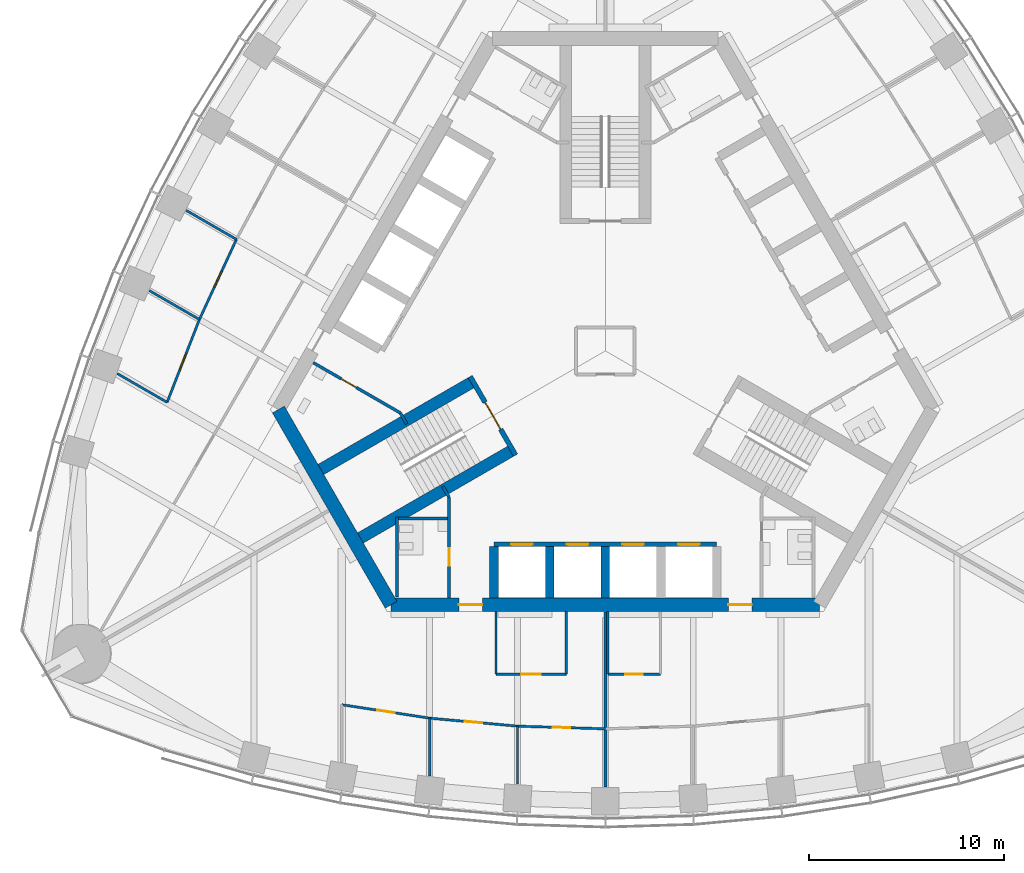
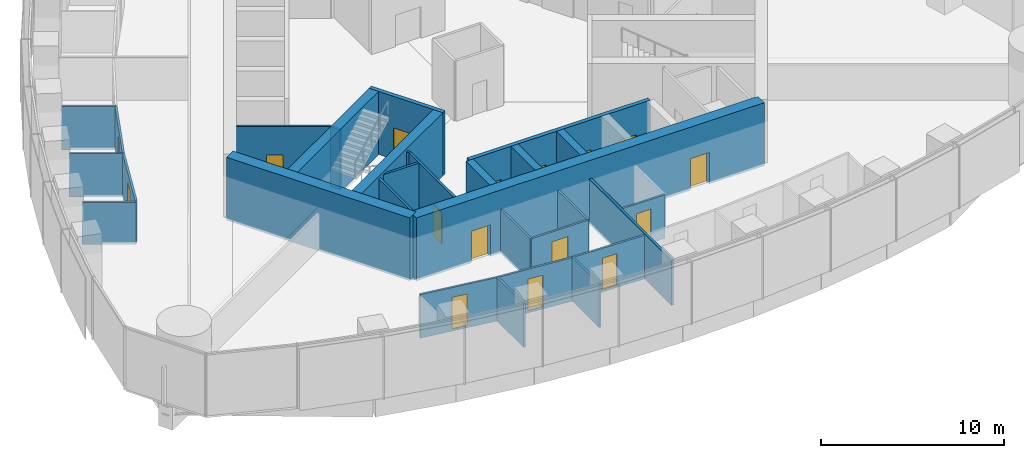
# One storey, part 8 of 16: 31 walls, 16 doors, 16 openings.
"""IFC4 building model written with IfcOpenShell, lengths in metres."""

from ifc_helpers import new_model, si_unit, direction, frame, frame_2d, origin, place, context, subcontext, project, spatial, rectangle, extrude, material, layer, layer_set, type_object, element, fill, save


model = new_model("IFC4")

# Units and contexts
model_context = context("Model", 3, precision=1e-05, world=origin(), true_north=direction((0.0, 1.0)))
body_context = subcontext(model_context, "Body", "Model", "MODEL_VIEW")
ifc_project = project(units=[si_unit("LENGTHUNIT", "METRE"), si_unit("AREAUNIT", "SQUARE_METRE"), si_unit("VOLUMEUNIT", "CUBIC_METRE"), si_unit("PLANEANGLEUNIT", "RADIAN"), si_unit("MASSUNIT", "GRAM", prefix="KILO")], contexts=[model_context])

# Site, building, storey
site_placement = place(None, origin())
site = spatial("IfcSite", under=ifc_project, at=site_placement, CompositionType="ELEMENT")
building_placement = place(site_placement, origin())
building = spatial("IfcBuilding", under=site, at=building_placement, Name="Trefoil Bronze Tower", CompositionType="ELEMENT")
storey_placement = place(building_placement, frame((0.0, 0.0, 284.699951171875)))
storey = spatial("IfcBuildingStorey", under=building, at=storey_placement, Name="L65", CompositionType="ELEMENT", Elevation=284.699951171875)

# Wall, openings, doors
ifc_material_1 = material(Name="Concrete B80", Category="concrete")
ifc_layer_1 = layer(ifc_material_1, 0.699951171875)
ifc_layer_set_1 = layer_set([ifc_layer_1], Name="Core wall 700")
wall_type_1 = type_object("IfcWallType", Name="Core wall 700", PredefinedType="SHEAR", material=ifc_layer_set_1)
wall_1_placement = place(storey_placement, frame((-10.9697265625, -13.0, 0.0), z_axis=(0.0, 0.0, 1.0), x_axis=(1.0, 0.0, 0.0)))
wall_1 = element("IfcWall", 1, at=wall_1_placement, inside=storey, type_object=wall_type_1, Name="Core long wall 1 L65", PredefinedType="SHEAR", context=body_context, shape_type="SweptSolid", body=[
    extrude(rectangle(XDim=21.939453125, YDim=0.699951171875, at=frame_2d((10.9697265625, 0.0))), origin(), (0.0, 0.0, 1.0), 4.199951171875),
])
opening_1_placement = place(wall_1_placement, frame((17.269775390625, 0.0, 0.0)))
opening_1 = element("IfcOpeningElement", 2, at=opening_1_placement, cuts=wall_1, Name="Opening D2", PredefinedType="OPENING", context=body_context, shape_type="SweptSolid", body=[
    extrude(rectangle(XDim=1.199951171875, YDim=2.10009765625, at=frame_2d((0.60009765625, 1.050048828125))), frame((0.0, 0.35986328125, 0.0), z_axis=(0.0, -1.0, 0.0), x_axis=(1.0, 0.0, 0.0)), (0.0, 0.0, 1.0), 0.719970703125),
])
opening_2_placement = place(wall_1_placement, frame((3.4697265625, 0.0, 0.0)))
opening_2 = element("IfcOpeningElement", 3, at=opening_2_placement, cuts=wall_1, Name="Opening D2", PredefinedType="OPENING", context=body_context, shape_type="SweptSolid", body=[
    extrude(rectangle(XDim=1.199951171875, YDim=2.10009765625, at=frame_2d((0.60009765625, 1.050048828125))), frame((0.0, 0.35986328125, 0.0), z_axis=(0.0, -1.0, 0.0), x_axis=(1.0, 0.0, 0.0)), (0.0, 0.0, 1.0), 0.719970703125),
])
ifc_material_2 = material(Name="Steel door", Category="steel")
door_type_1 = type_object("IfcDoorType", Name="Lobby door 1200", OperationType="SINGLE_SWING_RIGHT", PredefinedType="DOOR", material=ifc_material_2)
door_1_placement = place(opening_1_placement, origin())
door_1 = element("IfcDoor", 4, at=door_1_placement, inside=storey, type_object=door_type_1, Name="Lobby door F1+ L65", OperationType="SINGLE_SWING_RIGHT", OverallHeight=2.10009765625, OverallWidth=1.199951171875, PredefinedType="DOOR", context=body_context, shape_type="SweptSolid", body=[
    extrude(rectangle(XDim=1.199951171875, YDim=2.10009765625, at=frame_2d((0.60009765625, 1.050048828125))), frame((0.0, 0.02490234375, 0.0), z_axis=(0.0, -1.0, 0.0), x_axis=(1.0, 0.0, 0.0)), (0.0, 0.0, 1.0), 0.050048828125),
])
fill(opening_1, door_1)
door_2_placement = place(opening_2_placement, origin())
door_2 = element("IfcDoor", 5, at=door_2_placement, inside=storey, type_object=door_type_1, Name="Lobby door F1- L65", OperationType="SINGLE_SWING_LEFT", OverallHeight=2.10009765625, OverallWidth=1.199951171875, PredefinedType="DOOR", context=body_context, shape_type="SweptSolid", body=[
    extrude(rectangle(XDim=1.199951171875, YDim=2.10009765625, at=frame_2d((0.60009765625, 1.050048828125))), frame((0.0, 0.02490234375, 0.0), z_axis=(0.0, -1.0, 0.0), x_axis=(1.0, 0.0, 0.0)), (0.0, 0.0, 1.0), 0.050048828125),
])
fill(opening_2, door_2)

# Wall
wall_2_placement = place(storey_placement, frame((-16.7431640625, -3.0, 0.0), z_axis=(0.0, 0.0, 1.0), x_axis=(0.499995765644, -0.866027848477, 0.0)))
element("IfcWall", 6, at=wall_2_placement, inside=storey, type_object=wall_type_1, Name="Core short wall 3 L65", PredefinedType="SHEAR", context=body_context, shape_type="SweptSolid", body=[
    extrude(rectangle(XDim=11.546875, YDim=0.699951171875, at=frame_2d((5.7734375, 0.0))), origin(), (0.0, 0.0, 1.0), 4.199951171875),
])

# Wall, opening, door
ifc_material_3 = material(Name="Glazed partition", Category="glass")
ifc_layer_2 = layer(ifc_material_3, 0.1201171875)
ifc_layer_set_2 = layer_set([ifc_layer_2], Name="Glazed partition 120")
wall_type_2 = type_object("IfcWallType", Name="Glazed partition 120", PredefinedType="PARTITIONING", material=ifc_layer_set_2)
wall_3_placement = place(storey_placement, frame((0.125, -16.550048828125, 0.0), z_axis=(0.0, 0.0, 1.0), x_axis=(1.0, 0.0, 0.0)))
wall_3 = element("IfcWall", 7, at=wall_3_placement, inside=storey, type_object=wall_type_2, Name="Partition F1 L65", PredefinedType="PARTITIONING", context=body_context, shape_type="SweptSolid", body=[
    extrude(rectangle(XDim=2.699951171875, YDim=0.1201171875, at=frame_2d((1.35009765625, 0.0))), origin(), (0.0, 0.0, 1.0), 2.900146484375),
])
opening_3_placement = place(wall_3_placement, frame((0.89990234375, 0.0, 0.14990234375)))
opening_3 = element("IfcOpeningElement", 8, at=opening_3_placement, cuts=wall_3, Name="Opening D8", PredefinedType="OPENING", context=body_context, shape_type="SweptSolid", body=[
    extrude(rectangle(XDim=0.89990234375, YDim=2.10009765625, at=frame_2d((0.449951171875, 1.050048828125))), frame((0.0, 0.070068359375, 0.0), z_axis=(0.0, -1.0, 0.0), x_axis=(1.0, 0.0, 0.0)), (0.0, 0.0, 1.0), 0.14013671875),
])
ifc_material_4 = material(Name="Timber door", Category="wood")
door_type_2 = type_object("IfcDoorType", Name="Office door 900", OperationType="SINGLE_SWING_LEFT", PredefinedType="DOOR", material=ifc_material_4)
door_3_placement = place(opening_3_placement, origin())
door_3 = element("IfcDoor", 9, at=door_3_placement, inside=storey, type_object=door_type_2, Name="Pantry door F1 L65", OperationType="SINGLE_SWING_LEFT", OverallHeight=2.10009765625, OverallWidth=0.89990234375, PredefinedType="DOOR", context=body_context, shape_type="SweptSolid", body=[
    extrude(rectangle(XDim=0.89990234375, YDim=2.10009765625, at=frame_2d((0.449951171875, 1.050048828125))), frame((0.0, 0.02490234375, 0.0), z_axis=(0.0, -1.0, 0.0), x_axis=(1.0, 0.0, 0.0)), (0.0, 0.0, 1.0), 0.050048828125),
])
fill(opening_3, door_3)

wall_4_placement = place(storey_placement, frame((-5.60009765625, -16.550048828125, 0.0), z_axis=(0.0, 0.0, 1.0), x_axis=(1.0, 0.0, 0.0)))
wall_4 = element("IfcWall", 10, at=wall_4_placement, inside=storey, type_object=wall_type_2, Name="Partition F1 L65", PredefinedType="PARTITIONING", context=body_context, shape_type="SweptSolid", body=[
    extrude(rectangle(XDim=3.60009765625, YDim=0.1201171875, at=frame_2d((1.800048828125, 0.0))), origin(), (0.0, 0.0, 1.0), 2.900146484375),
])
opening_4_placement = place(wall_4_placement, frame((1.300048828125, 0.0, 0.14990234375)))
opening_4 = element("IfcOpeningElement", 11, at=opening_4_placement, cuts=wall_4, Name="Opening D9", PredefinedType="OPENING", context=body_context, shape_type="SweptSolid", body=[
    extrude(rectangle(XDim=1.0, YDim=2.10009765625, at=frame_2d((0.5, 1.050048828125))), frame((0.0, 0.070068359375, 0.0), z_axis=(0.0, -1.0, 0.0), x_axis=(1.0, 0.0, 0.0)), (0.0, 0.0, 1.0), 0.14013671875),
])
ifc_material_5 = material(Name="Glazed timber door", Category="wood")
door_type_3 = type_object("IfcDoorType", Name="Meeting room door 1000", OperationType="SINGLE_SWING_LEFT", PredefinedType="DOOR", material=ifc_material_5)
door_4_placement = place(opening_4_placement, origin())
door_4 = element("IfcDoor", 12, at=door_4_placement, inside=storey, type_object=door_type_3, Name="Meeting room door F1 L65", OperationType="SINGLE_SWING_RIGHT", OverallHeight=2.10009765625, OverallWidth=1.0, PredefinedType="DOOR", context=body_context, shape_type="SweptSolid", body=[
    extrude(rectangle(XDim=1.0, YDim=2.10009765625, at=frame_2d((0.5, 1.050048828125))), frame((0.0, 0.02490234375, 0.0), z_axis=(0.0, -1.0, 0.0), x_axis=(1.0, 0.0, 0.0)), (0.0, 0.0, 1.0), 0.050048828125),
])
fill(opening_4, door_4)

# Walls
for number, where, z_axis, x_axis, name in (
    (13, (0.125, -13.35009765625, 0.0), (0.0, 0.0, 1.0), (0.0, -1.0, 0.0), "Partition F1 L65"),
    (14, (-2.0, -13.35009765625, 0.0), (0.0, 0.0, 1.0), (0.0, -1.0, 0.0), "Partition F1 L65"),
    (15, (-5.60009765625, -13.35009765625, 0.0), (0.0, 0.0, 1.0), (0.0, -1.0, 0.0), "Partition F1 L65"),
):
    element("IfcWall", number, at=place(storey_placement, frame(where, z_axis=z_axis, x_axis=x_axis)), inside=storey, type_object=wall_type_2, Name=name, PredefinedType="PARTITIONING", context=body_context, shape_type="SweptSolid", body=[
        extrude(rectangle(XDim=3.199951171875, YDim=0.1201171875, at=frame_2d((1.60009765625, 0.0))), origin(), (0.0, 0.0, 1.0), 2.900146484375),
    ])

# Wall, opening, door
wall_5_placement = place(storey_placement, frame((-13.5, -18.1162109375, 0.0), z_axis=(0.0, 0.0, 1.0), x_axis=(0.988481794406, -0.151339823341, 0.0)))
wall_5 = element("IfcWall", 16, at=wall_5_placement, inside=storey, type_object=wall_type_2, Name="Partition F1 L65", PredefinedType="PARTITIONING", context=body_context, shape_type="SweptSolid", body=[
    extrude(rectangle(XDim=4.552490234375, YDim=0.1201171875, at=frame_2d((2.2763671875, 0.0))), origin(), (0.0, 0.0, 1.0), 2.900146484375),
])
opening_5_placement = place(wall_5_placement, frame((1.85009765625, 0.0, 0.14990234375)))
opening_5 = element("IfcOpeningElement", 17, at=opening_5_placement, cuts=wall_5, Name="Opening D8", PredefinedType="OPENING", context=body_context, shape_type="SweptSolid", body=[
    extrude(rectangle(XDim=0.89990234375, YDim=2.10009765625, at=frame_2d((0.449951171875, 1.050048828125))), frame((0.0, 0.070068359375, 0.0), z_axis=(0.0, -1.0, 0.0), x_axis=(1.0, 0.0, 0.0)), (0.0, 0.0, 1.0), 0.14013671875),
])
door_5_placement = place(opening_5_placement, frame((0.89990234375, 0.0, 0.0), z_axis=(0.0, 0.0, 1.0), x_axis=(-1.0, 0.0, 0.0)))
door_5 = element("IfcDoor", 18, at=door_5_placement, inside=storey, type_object=door_type_2, Name="Office door F1 L65", OperationType="SINGLE_SWING_LEFT", OverallHeight=2.10009765625, OverallWidth=0.89990234375, PredefinedType="DOOR", context=body_context, shape_type="SweptSolid", body=[
    extrude(rectangle(XDim=0.89990234375, YDim=2.10009765625, at=frame_2d((0.449951171875, 1.050048828125))), frame((0.0, 0.02490234375, 0.0), z_axis=(0.0, -1.0, 0.0), x_axis=(1.0, 0.0, 0.0)), (0.0, 0.0, 1.0), 0.050048828125),
])
fill(opening_5, door_5)

wall_6_placement = place(storey_placement, frame((-4.5, -19.21533203125, 0.0), z_axis=(0.0, 0.0, 1.0), x_axis=(0.999542074227, -0.030259574513, 0.0)))
wall_6 = element("IfcWall", 19, at=wall_6_placement, inside=storey, type_object=wall_type_2, Name="Partition F1 L65", PredefinedType="PARTITIONING", context=body_context, shape_type="SweptSolid", body=[
    extrude(rectangle(XDim=4.501953125, YDim=0.1201171875, at=frame_2d((2.2509765625, 0.0))), origin(), (0.0, 0.0, 1.0), 2.900146484375),
])
opening_6_placement = place(wall_6_placement, frame((1.800048828125, 0.0, 0.14990234375)))
opening_6 = element("IfcOpeningElement", 20, at=opening_6_placement, cuts=wall_6, Name="Opening D8", PredefinedType="OPENING", context=body_context, shape_type="SweptSolid", body=[
    extrude(rectangle(XDim=0.89990234375, YDim=2.10009765625, at=frame_2d((0.449951171875, 1.050048828125))), frame((0.0, 0.070068359375, 0.0), z_axis=(0.0, -1.0, 0.0), x_axis=(1.0, 0.0, 0.0)), (0.0, 0.0, 1.0), 0.14013671875),
])
door_6_placement = place(opening_6_placement, frame((0.89990234375, 0.0, 0.0), z_axis=(0.0, 0.0, 1.0), x_axis=(-1.0, 0.0, 0.0)))
door_6 = element("IfcDoor", 21, at=door_6_placement, inside=storey, type_object=door_type_2, Name="Office door F1 L65", OperationType="SINGLE_SWING_RIGHT", OverallHeight=2.10009765625, OverallWidth=0.89990234375, PredefinedType="DOOR", context=body_context, shape_type="SweptSolid", body=[
    extrude(rectangle(XDim=0.89990234375, YDim=2.10009765625, at=frame_2d((0.449951171875, 1.050048828125))), frame((0.0, 0.02490234375, 0.0), z_axis=(0.0, -1.0, 0.0), x_axis=(1.0, 0.0, 0.0)), (0.0, 0.0, 1.0), 0.050048828125),
])
fill(opening_6, door_6)

wall_7_placement = place(storey_placement, frame((-9.0, -18.80517578125, 0.0), z_axis=(0.0, 0.0, 1.0), x_axis=(0.995871921504, -0.090769576179, 0.0)))
wall_7 = element("IfcWall", 22, at=wall_7_placement, inside=storey, type_object=wall_type_2, Name="Partition F1 L65", PredefinedType="PARTITIONING", context=body_context, shape_type="SweptSolid", body=[
    extrude(rectangle(XDim=4.5185546875, YDim=0.1201171875, at=frame_2d((2.25927734375, 0.0))), origin(), (0.0, 0.0, 1.0), 2.900146484375),
])
opening_7_placement = place(wall_7_placement, frame((1.800048828125, 0.0, 0.14990234375)))
opening_7 = element("IfcOpeningElement", 23, at=opening_7_placement, cuts=wall_7, Name="Opening D8", PredefinedType="OPENING", context=body_context, shape_type="SweptSolid", body=[
    extrude(rectangle(XDim=0.89990234375, YDim=2.10009765625, at=frame_2d((0.449951171875, 1.050048828125))), frame((0.0, 0.070068359375, 0.0), z_axis=(0.0, -1.0, 0.0), x_axis=(1.0, 0.0, 0.0)), (0.0, 0.0, 1.0), 0.14013671875),
])
door_7_placement = place(opening_7_placement, frame((0.89990234375, 0.0, 0.0), z_axis=(0.0, 0.0, 1.0), x_axis=(-1.0, 0.0, 0.0)))
door_7 = element("IfcDoor", 24, at=door_7_placement, inside=storey, type_object=door_type_2, Name="Office door F1 L65", OperationType="SINGLE_SWING_RIGHT", OverallHeight=2.10009765625, OverallWidth=0.89990234375, PredefinedType="DOOR", context=body_context, shape_type="SweptSolid", body=[
    extrude(rectangle(XDim=0.89990234375, YDim=2.10009765625, at=frame_2d((0.449951171875, 1.050048828125))), frame((0.0, 0.02490234375, 0.0), z_axis=(0.0, -1.0, 0.0), x_axis=(1.0, 0.0, 0.0)), (0.0, 0.0, 1.0), 0.050048828125),
])
fill(opening_7, door_7)

# Walls
wall_8_placement = place(storey_placement, frame((-4.5, -19.21533203125, 0.0), z_axis=(0.0, 0.0, 1.0), x_axis=(0.0, -1.0, 0.0)))
element("IfcWall", 25, at=wall_8_placement, inside=storey, type_object=wall_type_2, Name="Partition F1 L65", PredefinedType="PARTITIONING", context=body_context, shape_type="SweptSolid", body=[
    extrude(rectangle(XDim=2.96728515625, YDim=0.1201171875, at=frame_2d((1.483642578125, 0.0))), origin(), (0.0, 0.0, 1.0), 2.900146484375),
])
wall_9_placement = place(storey_placement, frame((-9.0, -18.80517578125, 0.0), z_axis=(0.0, 0.0, 1.0), x_axis=(0.0, -1.0, 0.0)))
element("IfcWall", 26, at=wall_9_placement, inside=storey, type_object=wall_type_2, Name="Partition F1 L65", PredefinedType="PARTITIONING", context=body_context, shape_type="SweptSolid", body=[
    extrude(rectangle(XDim=2.958740234375, YDim=0.1201171875, at=frame_2d((1.4794921875, 0.0))), origin(), (0.0, 0.0, 1.0), 2.900146484375),
])

# Wall, opening, door
wall_10_placement = place(storey_placement, frame((-18.890869140625, 5.71044921875, 0.0), z_axis=(0.0, 0.0, 1.0), x_axis=(-0.419335693458, -0.907831248742, 0.0)))
wall_10 = element("IfcWall", 27, at=wall_10_placement, inside=storey, type_object=wall_type_2, Name="Partition F3 L65", PredefinedType="PARTITIONING", context=body_context, shape_type="SweptSolid", body=[
    extrude(rectangle(XDim=4.5185546875, YDim=0.1201171875, at=frame_2d((2.25927734375, 0.0))), origin(), (0.0, 0.0, 1.0), 2.900146484375),
])
opening_8_placement = place(wall_10_placement, frame((1.800048828125, 0.0, 0.14990234375)))
opening_8 = element("IfcOpeningElement", 28, at=opening_8_placement, cuts=wall_10, Name="Opening D8", PredefinedType="OPENING", context=body_context, shape_type="SweptSolid", body=[
    extrude(rectangle(XDim=0.89990234375, YDim=2.10009765625, at=frame_2d((0.449951171875, 1.050048828125))), frame((0.0, 0.070068359375, 0.0), z_axis=(0.0, -1.0, 0.0), x_axis=(1.0, 0.0, 0.0)), (0.0, 0.0, 1.0), 0.14013671875),
])
door_8_placement = place(opening_8_placement, frame((0.89990234375, 0.0, 0.0), z_axis=(0.0, 0.0, 1.0), x_axis=(-1.0, 0.0, 0.0)))
door_8 = element("IfcDoor", 29, at=door_8_placement, inside=storey, type_object=door_type_2, Name="Office door F3 L65", OperationType="SINGLE_SWING_RIGHT", OverallHeight=2.10009765625, OverallWidth=0.89990234375, PredefinedType="DOOR", context=body_context, shape_type="SweptSolid", body=[
    extrude(rectangle(XDim=0.89990234375, YDim=2.10009765625, at=frame_2d((0.449951171875, 1.050048828125))), frame((0.0, 0.02490234375, 0.0), z_axis=(0.0, -1.0, 0.0), x_axis=(1.0, 0.0, 0.0)), (0.0, 0.0, 1.0), 0.050048828125),
])
fill(opening_8, door_8)

wall_11_placement = place(storey_placement, frame((-20.78564453125, 1.6083984375, 0.0), z_axis=(0.0, 0.0, 1.0), x_axis=(-0.363212149153, -0.931706463811, 0.0)))
wall_11 = element("IfcWall", 30, at=wall_11_placement, inside=storey, type_object=wall_type_2, Name="Partition F3 L65", PredefinedType="PARTITIONING", context=body_context, shape_type="SweptSolid", body=[
    extrude(rectangle(XDim=4.552734375, YDim=0.1201171875, at=frame_2d((2.2763671875, 0.0))), origin(), (0.0, 0.0, 1.0), 2.900146484375),
])
opening_9_placement = place(wall_11_placement, frame((1.85009765625, 0.0, 0.14990234375)))
opening_9 = element("IfcOpeningElement", 31, at=opening_9_placement, cuts=wall_11, Name="Opening D8", PredefinedType="OPENING", context=body_context, shape_type="SweptSolid", body=[
    extrude(rectangle(XDim=0.89990234375, YDim=2.10009765625, at=frame_2d((0.449951171875, 1.050048828125))), frame((0.0, 0.070068359375, 0.0), z_axis=(0.0, -1.0, 0.0), x_axis=(1.0, 0.0, 0.0)), (0.0, 0.0, 1.0), 0.14013671875),
])
door_9_placement = place(opening_9_placement, frame((0.89990234375, 0.0, 0.0), z_axis=(0.0, 0.0, 1.0), x_axis=(-1.0, 0.0, 0.0)))
door_9 = element("IfcDoor", 32, at=door_9_placement, inside=storey, type_object=door_type_2, Name="Office door F3 L65", OperationType="SINGLE_SWING_LEFT", OverallHeight=2.10009765625, OverallWidth=0.89990234375, PredefinedType="DOOR", context=body_context, shape_type="SweptSolid", body=[
    extrude(rectangle(XDim=0.89990234375, YDim=2.10009765625, at=frame_2d((0.449951171875, 1.050048828125))), frame((0.0, 0.02490234375, 0.0), z_axis=(0.0, -1.0, 0.0), x_axis=(1.0, 0.0, 0.0)), (0.0, 0.0, 1.0), 0.050048828125),
])
fill(opening_9, door_9)

# Walls
wall_12_placement = place(storey_placement, frame((-22.439208984375, -2.63330078125, 0.0), z_axis=(0.0, 0.0, 1.0), x_axis=(-0.866019881867, 0.500009564119, 0.0)))
element("IfcWall", 33, at=wall_12_placement, inside=storey, type_object=wall_type_2, Name="Partition F3 L65", PredefinedType="PARTITIONING", context=body_context, shape_type="SweptSolid", body=[
    extrude(rectangle(XDim=2.9443359375, YDim=0.1201171875, at=frame_2d((1.47216796875, 0.0))), origin(), (0.0, 0.0, 1.0), 2.800048828125),
])
wall_13_placement = place(storey_placement, frame((-18.890869140625, 5.71044921875, 0.0), z_axis=(0.0, 0.0, 1.0), x_axis=(-0.866032134716, 0.499988341504, 0.0)))
element("IfcWall", 34, at=wall_13_placement, inside=storey, type_object=wall_type_2, Name="Partition F3 L65", PredefinedType="PARTITIONING", context=body_context, shape_type="SweptSolid", body=[
    extrude(rectangle(XDim=2.96728515625, YDim=0.1201171875, at=frame_2d((1.483642578125, 0.0))), origin(), (0.0, 0.0, 1.0), 2.900146484375),
])
wall_14_placement = place(storey_placement, frame((-20.78564453125, 1.6083984375, 0.0), z_axis=(0.0, 0.0, 1.0), x_axis=(-0.866056430242, 0.499946256749, 0.0)))
element("IfcWall", 35, at=wall_14_placement, inside=storey, type_object=wall_type_2, Name="Partition F3 L65", PredefinedType="PARTITIONING", context=body_context, shape_type="SweptSolid", body=[
    extrude(rectangle(XDim=2.958740234375, YDim=0.1201171875, at=frame_2d((1.4794921875, 0.0))), origin(), (0.0, 0.0, 1.0), 2.900146484375),
])
ifc_material_6 = material(Name="Concrete B80", Category="concrete")
ifc_layer_3 = layer(ifc_material_6, 0.449951171875)
ifc_layer_set_3 = layer_set([ifc_layer_3], Name="Outrigger shaft wall 450")
wall_type_3 = type_object("IfcWallType", Name="Outrigger shaft wall 450", PredefinedType="SHEAR", material=ifc_layer_set_3)
for number, where, z_axis, x_axis, name in (
    (36, (-5.699951171875, -10.02490234375, 0.0), (0.0, 0.0, 1.0), (0.0, -1.0, 0.0), "Lift shaft side wall A0 L65"),
    (37, (-2.85009765625, -10.02490234375, 0.0), (0.0, 0.0, 1.0), (0.0, -1.0, 0.0), "Lift shaft side wall A1 L65"),
    (38, (0.0, -10.02490234375, 0.0), (0.0, 0.0, 1.0), (0.0, -1.0, 0.0), "Lift shaft side wall A2 L65"),
):
    element("IfcWall", number, at=place(storey_placement, frame(where, z_axis=z_axis, x_axis=x_axis)), inside=storey, type_object=wall_type_3, Name=name, PredefinedType="SHEAR", context=body_context, shape_type="SweptSolid", body=[
        extrude(rectangle(XDim=2.625, YDim=0.449951171875, at=frame_2d((1.3125, 0.0))), origin(), (0.0, 0.0, 1.0), 4.199951171875),
    ])

# Wall, opening, door
ifc_material_7 = material(Name="Gypsum board on steel studs", Category="steel")
ifc_layer_4 = layer(ifc_material_7, 0.14990234375)
ifc_layer_set_4 = layer_set([ifc_layer_4], Name="Partition 150")
wall_type_4 = type_object("IfcWallType", Name="Partition 150", PredefinedType="PARTITIONING", material=ifc_layer_set_4)
wall_15_placement = place(storey_placement, frame((-8.0, -7.5, 0.0), z_axis=(0.0, 0.0, 1.0), x_axis=(0.0, -1.0, 0.0)))
wall_15 = element("IfcWall", 39, at=wall_15_placement, inside=storey, type_object=wall_type_4, Name="Passage wall F1- L65", PredefinedType="PARTITIONING", context=body_context, shape_type="SweptSolid", body=[
    extrude(rectangle(XDim=5.14990234375, YDim=0.14990234375, at=frame_2d((2.574951171875, 0.0))), origin(), (0.0, 0.0, 1.0), 4.0),
])
opening_10_placement = place(wall_15_placement, frame((2.60009765625, 0.0, 0.0)))
opening_10 = element("IfcOpeningElement", 40, at=opening_10_placement, cuts=wall_15, Name="Opening D3", PredefinedType="OPENING", context=body_context, shape_type="SweptSolid", body=[
    extrude(rectangle(XDim=0.89990234375, YDim=2.10009765625, at=frame_2d((0.449951171875, 1.050048828125))), frame((0.0, 0.0849609375, 0.0), z_axis=(0.0, -1.0, 0.0), x_axis=(1.0, 0.0, 0.0)), (0.0, 0.0, 1.0), 0.169921875),
])
ifc_material_8 = material(Name="Timber door", Category="wood")
door_type_4 = type_object("IfcDoorType", Name="WC door 900", OperationType="SINGLE_SWING_LEFT", PredefinedType="DOOR", material=ifc_material_8)
door_10_placement = place(opening_10_placement, frame((0.89990234375, 0.0, 0.0), z_axis=(0.0, 0.0, 1.0), x_axis=(-1.0, 0.0, 0.0)))
door_10 = element("IfcDoor", 41, at=door_10_placement, inside=storey, type_object=door_type_4, Name="WC (women) door L65", OperationType="SINGLE_SWING_RIGHT", OverallHeight=2.10009765625, OverallWidth=0.89990234375, PredefinedType="DOOR", context=body_context, shape_type="SweptSolid", body=[
    extrude(rectangle(XDim=0.89990234375, YDim=2.10009765625, at=frame_2d((0.449951171875, 1.050048828125))), frame((0.0, 0.02490234375, 0.0), z_axis=(0.0, -1.0, 0.0), x_axis=(1.0, 0.0, 0.0)), (0.0, 0.0, 1.0), 0.050048828125),
])
fill(opening_10, door_10)

wall_16_placement = place(storey_placement, frame((-10.4951171875, -3.17822265625, 0.0), z_axis=(0.0, 0.0, 1.0), x_axis=(-0.866037967349, 0.499978238636, 0.0)))
wall_16 = element("IfcWall", 42, at=wall_16_placement, inside=storey, type_object=wall_type_4, Name="Passage wall F3+ L65", PredefinedType="PARTITIONING", context=body_context, shape_type="SweptSolid", body=[
    extrude(rectangle(XDim=5.150146484375, YDim=0.14990234375, at=frame_2d((2.5751953125, 0.0))), origin(), (0.0, 0.0, 1.0), 4.0),
])
opening_11_placement = place(wall_16_placement, frame((2.60009765625, 0.0, 0.0)))
opening_11 = element("IfcOpeningElement", 43, at=opening_11_placement, cuts=wall_16, Name="Opening D3", PredefinedType="OPENING", context=body_context, shape_type="SweptSolid", body=[
    extrude(rectangle(XDim=0.89990234375, YDim=2.10009765625, at=frame_2d((0.449951171875, 1.050048828125))), frame((0.0, 0.0849609375, 0.0), z_axis=(0.0, -1.0, 0.0), x_axis=(1.0, 0.0, 0.0)), (0.0, 0.0, 1.0), 0.169921875),
])
door_11_placement = place(opening_11_placement, origin())
door_11 = element("IfcDoor", 44, at=door_11_placement, inside=storey, type_object=door_type_4, Name="Accessible WC door L65", OperationType="SINGLE_SWING_RIGHT", OverallHeight=2.10009765625, OverallWidth=0.89990234375, PredefinedType="DOOR", context=body_context, shape_type="SweptSolid", body=[
    extrude(rectangle(XDim=0.89990234375, YDim=2.10009765625, at=frame_2d((0.449951171875, 1.050048828125))), frame((0.0, 0.02490234375, 0.0), z_axis=(0.0, -1.0, 0.0), x_axis=(1.0, 0.0, 0.0)), (0.0, 0.0, 1.0), 0.050048828125),
])
fill(opening_11, door_11)

# Walls
for number, where, z_axis, x_axis, name in (
    (45, (-10.4951171875, -3.17822265625, 0.0), (0.0, 0.0, 1.0), (0.499842556608, -0.866116284689, 0.0), "WC wall ST3-1 L65"),
    (46, (-8.0, -7.5, 0.0), (0.0, 0.0, 1.0), (-0.499842556608, 0.866116284689, 0.0), "WC wall ST3+1 L65"),
):
    element("IfcWall", number, at=place(storey_placement, frame(where, z_axis=z_axis, x_axis=x_axis)), inside=storey, type_object=wall_type_4, Name=name, PredefinedType="PARTITIONING", context=body_context, shape_type="SweptSolid", body=[
        extrude(rectangle(XDim=0.645263671875, YDim=0.14990234375, at=frame_2d((0.32275390625, 0.0))), origin(), (0.0, 0.0, 1.0), 4.0),
    ])
wall_17_placement = place(storey_placement, frame((-10.659912109375, -8.5, 0.0), z_axis=(0.0, 0.0, 1.0), x_axis=(0.0, -1.0, 0.0)))
element("IfcWall", 47, at=wall_17_placement, inside=storey, type_object=wall_type_4, Name="WC partition WC (women) L65", PredefinedType="PARTITIONING", context=body_context, shape_type="SweptSolid", body=[
    extrude(rectangle(XDim=4.10009765625, YDim=0.14990234375, at=frame_2d((2.050048828125, 0.0))), origin(), (0.0, 0.0, 1.0), 4.0),
])
wall_18_placement = place(storey_placement, frame((-8.074951171875, -8.574951171875, 0.0), z_axis=(0.0, 0.0, 1.0), x_axis=(-1.0, 0.0, 0.0)))
element("IfcWall", 48, at=wall_18_placement, inside=storey, type_object=wall_type_4, Name="WC partition WC (women) L65", PredefinedType="PARTITIONING", context=body_context, shape_type="SweptSolid", body=[
    extrude(rectangle(XDim=2.510009765625, YDim=0.14990234375, at=frame_2d((1.2548828125, 0.0))), origin(), (0.0, 0.0, 1.0), 4.0),
])
ifc_material_9 = material(Name="Gypsum board on steel studs", Category="steel")
ifc_layer_5 = layer(ifc_material_9, 0.14990234375)
ifc_layer_set_5 = layer_set([ifc_layer_5], Name="Party wall 150")
wall_type_5 = type_object("IfcWallType", Name="Party wall 150", PredefinedType="PARTITIONING", material=ifc_layer_set_5)
wall_19_placement = place(storey_placement, frame((0.0, -13.360107421875, 0.0), z_axis=(0.0, 0.0, 1.0), x_axis=(0.0, -1.0, 0.0)))
element("IfcWall", 49, at=wall_19_placement, inside=storey, type_object=wall_type_5, Name="Demising wall F1 L65", PredefinedType="PARTITIONING", context=body_context, shape_type="SweptSolid", body=[
    extrude(rectangle(XDim=8.96142578125, YDim=0.14990234375, at=frame_2d((4.480712890625, 0.0))), origin(), (0.0, 0.0, 1.0), 3.0),
])

# Wall, openings, doors
ifc_material_10 = material(Name="Concrete B80", Category="concrete")
ifc_layer_6 = layer(ifc_material_10, 0.25)
ifc_layer_set_6 = layer_set([ifc_layer_6], Name="Shaft wall 250")
wall_type_6 = type_object("IfcWallType", Name="Shaft wall 250", PredefinedType="SHEAR", material=ifc_layer_set_6)
wall_20_placement = place(storey_placement, frame((-5.699951171875, -9.89990234375, 0.0), z_axis=(0.0, 0.0, 1.0), x_axis=(1.0, 0.0, 0.0)))
wall_20 = element("IfcWall", 50, at=wall_20_placement, inside=storey, type_object=wall_type_6, Name="Lift shaft front wall A L65", PredefinedType="SHEAR", context=body_context, shape_type="SweptSolid", body=[
    extrude(rectangle(XDim=11.39990234375, YDim=0.25, at=frame_2d((5.699951171875, 0.0))), origin(), (0.0, 0.0, 1.0), 4.199951171875),
])
opening_12_placement = place(wall_20_placement, frame((0.875, 0.0, 0.0)))
opening_12 = element("IfcOpeningElement", 51, at=opening_12_placement, cuts=wall_20, Name="Opening LD-P41", PredefinedType="OPENING", context=body_context, shape_type="SweptSolid", body=[
    extrude(rectangle(XDim=1.10009765625, YDim=2.199951171875, at=frame_2d((0.550048828125, 1.10009765625))), frame((0.0, 0.135009765625, 0.0), z_axis=(0.0, -1.0, 0.0), x_axis=(1.0, 0.0, 0.0)), (0.0, 0.0, 1.0), 0.27001953125),
])
opening_13_placement = place(wall_20_placement, frame((3.72509765625, 0.0, 0.0)))
opening_13 = element("IfcOpeningElement", 52, at=opening_13_placement, cuts=wall_20, Name="Opening LD-P42", PredefinedType="OPENING", context=body_context, shape_type="SweptSolid", body=[
    extrude(rectangle(XDim=1.10009765625, YDim=2.199951171875, at=frame_2d((0.550048828125, 1.10009765625))), frame((0.0, 0.135009765625, 0.0), z_axis=(0.0, -1.0, 0.0), x_axis=(1.0, 0.0, 0.0)), (0.0, 0.0, 1.0), 0.27001953125),
])
opening_14_placement = place(wall_20_placement, frame((6.574951171875, 0.0, 0.0)))
opening_14 = element("IfcOpeningElement", 53, at=opening_14_placement, cuts=wall_20, Name="Opening LD-P43", PredefinedType="OPENING", context=body_context, shape_type="SweptSolid", body=[
    extrude(rectangle(XDim=1.10009765625, YDim=2.199951171875, at=frame_2d((0.550048828125, 1.10009765625))), frame((0.0, 0.135009765625, 0.0), z_axis=(0.0, -1.0, 0.0), x_axis=(1.0, 0.0, 0.0)), (0.0, 0.0, 1.0), 0.27001953125),
])
opening_15_placement = place(wall_20_placement, frame((9.425048828125, 0.0, 0.0)))
opening_15 = element("IfcOpeningElement", 54, at=opening_15_placement, cuts=wall_20, Name="Opening LD-P44", PredefinedType="OPENING", context=body_context, shape_type="SweptSolid", body=[
    extrude(rectangle(XDim=1.10009765625, YDim=2.199951171875, at=frame_2d((0.550048828125, 1.10009765625))), frame((0.0, 0.135009765625, 0.0), z_axis=(0.0, -1.0, 0.0), x_axis=(1.0, 0.0, 0.0)), (0.0, 0.0, 1.0), 0.27001953125),
])
ifc_material_11 = material(Name="Steel door", Category="steel")
door_type_5 = type_object("IfcDoorType", Name="Lift landing door 1100", OperationType="DOUBLE_DOOR_SLIDING", PredefinedType="DOOR", material=ifc_material_11)
door_12_placement = place(opening_12_placement, origin())
door_12 = element("IfcDoor", 55, at=door_12_placement, inside=storey, type_object=door_type_5, Name="Lift P41 landing door L65", OperationType="DOUBLE_DOOR_SLIDING", OverallHeight=2.199951171875, OverallWidth=1.10009765625, PredefinedType="DOOR", context=body_context, shape_type="SweptSolid", body=[
    extrude(rectangle(XDim=1.10009765625, YDim=2.199951171875, at=frame_2d((0.550048828125, 1.10009765625))), frame((0.0, 0.02490234375, 0.0), z_axis=(0.0, -1.0, 0.0), x_axis=(1.0, 0.0, 0.0)), (0.0, 0.0, 1.0), 0.050048828125),
])
fill(opening_12, door_12)
door_13_placement = place(opening_13_placement, origin())
door_13 = element("IfcDoor", 56, at=door_13_placement, inside=storey, type_object=door_type_5, Name="Lift P42 landing door L65", OperationType="DOUBLE_DOOR_SLIDING", OverallHeight=2.199951171875, OverallWidth=1.10009765625, PredefinedType="DOOR", context=body_context, shape_type="SweptSolid", body=[
    extrude(rectangle(XDim=1.10009765625, YDim=2.199951171875, at=frame_2d((0.550048828125, 1.10009765625))), frame((0.0, 0.02490234375, 0.0), z_axis=(0.0, -1.0, 0.0), x_axis=(1.0, 0.0, 0.0)), (0.0, 0.0, 1.0), 0.050048828125),
])
fill(opening_13, door_13)
door_14_placement = place(opening_14_placement, origin())
door_14 = element("IfcDoor", 57, at=door_14_placement, inside=storey, type_object=door_type_5, Name="Lift P43 landing door L65", OperationType="DOUBLE_DOOR_SLIDING", OverallHeight=2.199951171875, OverallWidth=1.10009765625, PredefinedType="DOOR", context=body_context, shape_type="SweptSolid", body=[
    extrude(rectangle(XDim=1.10009765625, YDim=2.199951171875, at=frame_2d((0.550048828125, 1.10009765625))), frame((0.0, 0.02490234375, 0.0), z_axis=(0.0, -1.0, 0.0), x_axis=(1.0, 0.0, 0.0)), (0.0, 0.0, 1.0), 0.050048828125),
])
fill(opening_14, door_14)
door_15_placement = place(opening_15_placement, origin())
door_15 = element("IfcDoor", 58, at=door_15_placement, inside=storey, type_object=door_type_5, Name="Lift P44 landing door L65", OperationType="DOUBLE_DOOR_SLIDING", OverallHeight=2.199951171875, OverallWidth=1.10009765625, PredefinedType="DOOR", context=body_context, shape_type="SweptSolid", body=[
    extrude(rectangle(XDim=1.10009765625, YDim=2.199951171875, at=frame_2d((0.550048828125, 1.10009765625))), frame((0.0, 0.02490234375, 0.0), z_axis=(0.0, -1.0, 0.0), x_axis=(1.0, 0.0, 0.0)), (0.0, 0.0, 1.0), 0.050048828125),
])
fill(opening_15, door_15)

# Wall, opening, door
wall_21_placement = place(storey_placement, frame((-6.921630859375, -1.3115234375, 0.0), z_axis=(0.0, 0.0, 1.0), x_axis=(0.499984536904, -0.866034331223, 0.0)))
wall_21 = element("IfcWall", 59, at=wall_21_placement, inside=storey, type_object=wall_type_6, Name="Stair end wall ST3 L65", PredefinedType="SHEAR", context=body_context, shape_type="SweptSolid", body=[
    extrude(rectangle(XDim=4.650146484375, YDim=0.25, at=frame_2d((2.3251953125, 0.0))), origin(), (0.0, 0.0, 1.0), 4.199951171875),
])
opening_16_placement = place(wall_21_placement, frame((1.52490234375, 0.0, 0.0)))
opening_16 = element("IfcOpeningElement", 60, at=opening_16_placement, cuts=wall_21, Name="Opening D1", PredefinedType="OPENING", context=body_context, shape_type="SweptSolid", body=[
    extrude(rectangle(XDim=1.60009765625, YDim=2.10009765625, at=frame_2d((0.800048828125, 1.050048828125))), frame((0.0, 0.135009765625, 0.0), z_axis=(0.0, -1.0, 0.0), x_axis=(1.0, 0.0, 0.0)), (0.0, 0.0, 1.0), 0.27001953125),
])
ifc_material_12 = material(Name="Steel door", Category="steel")
door_type_6 = type_object("IfcDoorType", Name="Stair door 1600", OperationType="DOUBLE_DOOR_SINGLE_SWING", PredefinedType="DOOR", material=ifc_material_12)
door_16_placement = place(opening_16_placement, frame((1.60009765625, 0.0, 0.0), z_axis=(0.0, 0.0, 1.0), x_axis=(-1.0, 0.0, 0.0)))
door_16 = element("IfcDoor", 61, at=door_16_placement, inside=storey, type_object=door_type_6, Name="Stair door ST3 L65", OperationType="DOUBLE_DOOR_SINGLE_SWING", OverallHeight=2.10009765625, OverallWidth=1.60009765625, PredefinedType="DOOR", context=body_context, shape_type="SweptSolid", body=[
    extrude(rectangle(XDim=1.60009765625, YDim=2.10009765625, at=frame_2d((0.800048828125, 1.050048828125))), frame((0.0, 0.02490234375, 0.0), z_axis=(0.0, -1.0, 0.0), x_axis=(1.0, 0.0, 0.0)), (0.0, 0.0, 1.0), 0.050048828125),
])
fill(opening_16, door_16)

# Walls
ifc_material_13 = material(Name="Concrete B80", Category="concrete")
ifc_layer_7 = layer(ifc_material_13, 0.60009765625)
ifc_layer_set_7 = layer_set([ifc_layer_7], Name="Stair wall 600")
wall_type_7 = type_object("IfcWallType", Name="Stair wall 600", PredefinedType="SHEAR", material=ifc_layer_set_7)
for number, where, z_axis, x_axis, name in (
    (62, (-6.663330078125, -1.5087890625, 0.0), (0.0, 0.0, 1.0), (-0.866028310072, -0.499994966129, 0.0), "Stair wall ST3 L65"),
    (63, (-4.638427734375, -5.01611328125, 0.0), (0.0, 0.0, 1.0), (-0.866021621257, -0.500006551472, 0.0), "Stair wall ST3 L65"),
):
    element("IfcWall", number, at=place(storey_placement, frame(where, z_axis=z_axis, x_axis=x_axis)), inside=storey, type_object=wall_type_7, Name=name, PredefinedType="SHEAR", context=body_context, shape_type="SweptSolid", body=[
        extrude(rectangle(XDim=9.125, YDim=0.60009765625, at=frame_2d((4.5625, 0.0))), origin(), (0.0, 0.0, 1.0), 4.199951171875),
    ])

save(model, "model.ifc")
